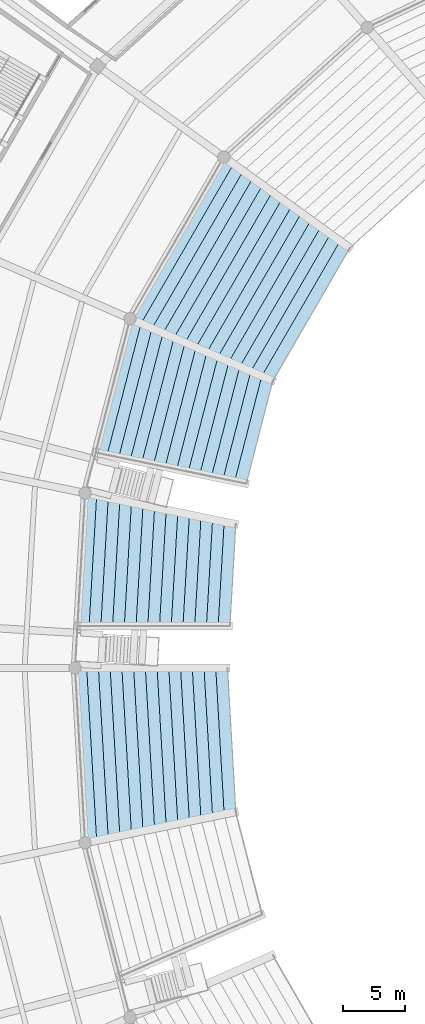
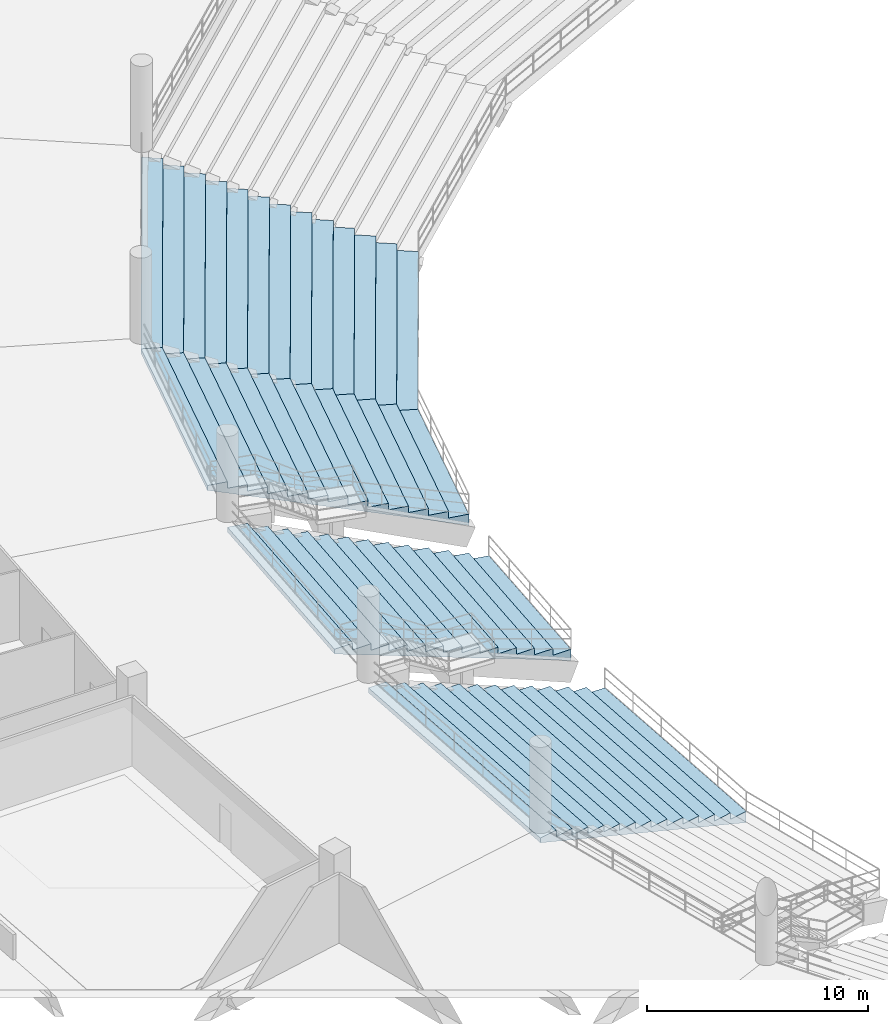
# One storey, part 111 of 156: 4 slabs.
"""IFC4 building model written with IfcOpenShell, lengths in metres."""

from ifc_helpers import new_model, si_unit, direction, frame, origin, place, context, subcontext, project, spatial, polygons, material, layer, layer_set, type_object, element, save


model = new_model("IFC4")

# Units and contexts
model_context = context("Model", 3, precision=1e-05, world=origin(), true_north=direction((0.0, 1.0)))
body_context = subcontext(model_context, "Body", "Model", "MODEL_VIEW")
ifc_project = project(units=[si_unit("LENGTHUNIT", "METRE"), si_unit("AREAUNIT", "SQUARE_METRE"), si_unit("VOLUMEUNIT", "CUBIC_METRE"), si_unit("PLANEANGLEUNIT", "RADIAN"), si_unit("MASSUNIT", "GRAM", prefix="KILO")], contexts=[model_context])

# Site, building, storey
site_placement = place(None, origin())
site = spatial("IfcSite", under=ifc_project, at=site_placement, CompositionType="ELEMENT")
building_placement = place(site_placement, origin())
building = spatial("IfcBuilding", under=site, at=building_placement, Name="Kazemori Nagisa Stadium", CompositionType="ELEMENT")
storey_placement = place(building_placement, frame((0.0, 0.0, 5.780029296875)))
storey = spatial("IfcBuildingStorey", under=building, at=storey_placement, Name="L01", CompositionType="ELEMENT", Elevation=5.780029296875)

# Slabs
ifc_material = material(Name="Concrete C36/45 (Fc36)", Category="concrete")
ifc_layer_1 = layer(ifc_material, 4.93994140625, Name="Concrete C36/45 (Fc36)", Category="concrete")
ifc_layer_set_1 = layer_set([ifc_layer_1], Name="Concrete C36/45 (Fc36)")
slab_type_1 = type_object("IfcSlabType", Name="SeatingTier_ST-LOW-13", PredefinedType="USERDEFINED", material=ifc_layer_set_1)
slab_1_placement = place(storey_placement, frame((0.0, 0.0, -5.780029296875)))
element("IfcSlab", 1, at=slab_1_placement, inside=storey, type_object=slab_type_1, Name="Stand lower tier bay 12", ObjectType="SEATING TIER", PredefinedType="USERDEFINED", context=body_context, shape_type="Tessellation", body=[
    polygons([(69.6689453125, 125.249755859375, 0.239990234375), (69.6689453125, 125.249755859375, 0.860107421875), (68.780029296875, 125.63720703125, 0.860107421875), (68.780029296875, 125.63720703125, 1.22021484375), (67.891357421875, 126.024658203125, 1.22021484375), (67.891357421875, 126.024658203125, 1.580322265625), (67.00244140625, 126.412109375, 1.580322265625), (67.00244140625, 126.412109375, 1.9404296875), (66.113525390625, 126.7998046875, 1.9404296875), (66.113525390625, 126.7998046875, 2.300537109375), (65.224853515625, 127.187255859375, 2.300537109375), (65.224853515625, 127.187255859375, 2.66064453125), (64.3359375, 127.57470703125, 2.66064453125), (64.3359375, 127.57470703125, 3.020751953125), (63.447021484375, 127.962158203125, 3.020751953125), (63.447021484375, 127.962158203125, 3.380859375), (62.55810546875, 128.349609375, 3.380859375), (62.55810546875, 128.349609375, 3.740966796875), (61.66943359375, 128.737060546875, 3.740966796875), (61.66943359375, 128.737060546875, 4.10107421875), (60.780517578125, 129.124755859375, 4.10107421875), (60.780517578125, 129.124755859375, 4.461181640625), (59.8916015625, 129.51220703125, 4.461181640625), (59.8916015625, 129.51220703125, 4.8212890625), (59.0029296875, 129.899658203125, 4.8212890625), (59.0029296875, 129.899658203125, 5.181396484375), (58.114013671875, 130.287109375, 5.181396484375), (58.114013671875, 130.287109375, 4.92138671875), (59.0029296875, 129.899658203125, 4.561279296875), (59.8916015625, 129.51220703125, 4.201171875), (60.780517578125, 129.124755859375, 3.841064453125), (61.66943359375, 128.737060546875, 3.48095703125), (62.55810546875, 128.349609375, 3.120849609375), (63.447021484375, 127.962158203125, 2.7607421875), (64.3359375, 127.57470703125, 2.400634765625), (65.224853515625, 127.187255859375, 2.04052734375), (66.113525390625, 126.7998046875, 1.680419921875), (67.00244140625, 126.412109375, 1.3203125), (67.891357421875, 126.024658203125, 0.960205078125), (68.780029296875, 125.63720703125, 0.60009765625), (75.90283203125, 136.00048828125, 0.239990234375), (75.90283203125, 136.00048828125, 0.860107421875), (75.117919921875, 136.567138671875, 0.860107421875), (75.117919921875, 136.567138671875, 1.22021484375), (74.3330078125, 137.1337890625, 1.22021484375), (74.3330078125, 137.1337890625, 1.580322265625), (73.548095703125, 137.700439453125, 1.580322265625), (73.548095703125, 137.700439453125, 1.9404296875), (72.762939453125, 138.267333984375, 1.9404296875), (72.762939453125, 138.267333984375, 2.300537109375), (71.97802734375, 138.833984375, 2.300537109375), (71.97802734375, 138.833984375, 2.66064453125), (71.193115234375, 139.400634765625, 2.66064453125), (71.193115234375, 139.400634765625, 3.020751953125), (70.408203125, 139.96728515625, 3.020751953125), (70.408203125, 139.96728515625, 3.380859375), (69.623291015625, 140.533935546875, 3.380859375), (69.623291015625, 140.533935546875, 3.740966796875), (68.83837890625, 141.1005859375, 3.740966796875), (68.83837890625, 141.1005859375, 4.10107421875), (68.05322265625, 141.66748046875, 4.10107421875), (68.05322265625, 141.66748046875, 4.461181640625), (67.268310546875, 142.234130859375, 4.461181640625), (67.268310546875, 142.234130859375, 4.8212890625), (66.4833984375, 142.80078125, 4.8212890625), (66.4833984375, 142.80078125, 5.181396484375), (65.698486328125, 143.367431640625, 5.181396484375), (65.698486328125, 143.367431640625, 4.92138671875), (66.4833984375, 142.80078125, 4.561279296875), (67.268310546875, 142.234130859375, 4.201171875), (68.05322265625, 141.66748046875, 3.841064453125), (68.83837890625, 141.1005859375, 3.48095703125), (69.623291015625, 140.533935546875, 3.120849609375), (70.408203125, 139.96728515625, 2.7607421875), (71.193115234375, 139.400634765625, 2.400634765625), (71.97802734375, 138.833984375, 2.04052734375), (72.762939453125, 138.267333984375, 1.680419921875), (73.548095703125, 137.700439453125, 1.3203125), (74.3330078125, 137.1337890625, 0.960205078125), (75.117919921875, 136.567138671875, 0.60009765625)], [[[1, 41, 42]], [[1, 42, 2]], [[2, 42, 43]], [[2, 43, 3]], [[3, 43, 44]], [[3, 44, 4]], [[4, 44, 45]], [[4, 45, 5]], [[5, 45, 46]], [[5, 46, 6]], [[6, 46, 47]], [[6, 47, 7]], [[7, 47, 48]], [[7, 48, 8]], [[8, 48, 49]], [[8, 49, 9]], [[9, 49, 50]], [[9, 50, 10]], [[10, 50, 51]], [[10, 51, 11]], [[11, 51, 52]], [[11, 52, 12]], [[12, 52, 53]], [[12, 53, 13]], [[13, 53, 54]], [[13, 54, 14]], [[14, 54, 55]], [[14, 55, 15]], [[15, 55, 56]], [[15, 56, 16]], [[16, 56, 57]], [[16, 57, 17]], [[17, 57, 58]], [[17, 58, 18]], [[18, 58, 59]], [[18, 59, 19]], [[19, 59, 60]], [[19, 60, 20]], [[20, 60, 61]], [[20, 61, 21]], [[21, 61, 62]], [[21, 62, 22]], [[22, 62, 63]], [[22, 63, 23]], [[23, 63, 64]], [[23, 64, 24]], [[24, 64, 65]], [[24, 65, 25]], [[25, 65, 66]], [[25, 66, 26]], [[26, 66, 67]], [[26, 67, 27]], [[27, 67, 68]], [[27, 68, 28]], [[28, 68, 29]], [[29, 68, 69]], [[29, 69, 30]], [[30, 69, 70]], [[30, 70, 31]], [[31, 70, 71]], [[31, 71, 32]], [[32, 71, 72]], [[32, 72, 33]], [[33, 72, 73]], [[33, 73, 34]], [[34, 73, 74]], [[34, 74, 35]], [[35, 74, 75]], [[35, 75, 36]], [[36, 75, 76]], [[36, 76, 37]], [[37, 76, 77]], [[37, 77, 38]], [[38, 77, 78]], [[38, 78, 39]], [[39, 78, 79]], [[39, 79, 40]], [[40, 79, 80]], [[40, 80, 1]], [[1, 80, 41]], [[1, 2, 3]], [[43, 42, 41]], [[1, 3, 40]], [[80, 43, 41]], [[40, 3, 39]], [[79, 43, 80]], [[39, 3, 5]], [[45, 43, 79]], [[3, 4, 5]], [[45, 44, 43]], [[39, 5, 38]], [[78, 45, 79]], [[38, 5, 7]], [[47, 45, 78]], [[5, 6, 7]], [[47, 46, 45]], [[38, 7, 37]], [[77, 47, 78]], [[37, 7, 9]], [[49, 47, 77]], [[7, 8, 9]], [[49, 48, 47]], [[37, 9, 36]], [[76, 49, 77]], [[36, 9, 11]], [[51, 49, 76]], [[9, 10, 11]], [[51, 50, 49]], [[36, 11, 35]], [[75, 51, 76]], [[35, 11, 13]], [[53, 51, 75]], [[11, 12, 13]], [[53, 52, 51]], [[35, 13, 34]], [[74, 53, 75]], [[34, 13, 15]], [[55, 53, 74]], [[13, 14, 15]], [[55, 54, 53]], [[34, 15, 33]], [[73, 55, 74]], [[33, 15, 17]], [[57, 55, 73]], [[15, 16, 17]], [[57, 56, 55]], [[33, 17, 32]], [[72, 57, 73]], [[32, 17, 19]], [[59, 57, 72]], [[17, 18, 19]], [[59, 58, 57]], [[32, 19, 31]], [[71, 59, 72]], [[31, 19, 21]], [[61, 59, 71]], [[19, 20, 21]], [[61, 60, 59]], [[31, 21, 30]], [[70, 61, 71]], [[30, 21, 23]], [[63, 61, 70]], [[21, 22, 23]], [[63, 62, 61]], [[30, 23, 29]], [[69, 63, 70]], [[29, 23, 25]], [[65, 63, 69]], [[23, 24, 25]], [[65, 64, 63]], [[29, 25, 28]], [[68, 65, 69]], [[28, 25, 27]], [[67, 65, 68]], [[25, 26, 27]], [[67, 66, 65]]], closed=True),
])
slab_2_placement = place(storey_placement, frame((0.0, 0.0, -5.780029296875)))
element("IfcSlab", 2, at=slab_2_placement, inside=storey, type_object=slab_type_1, Name="Stand lower tier bay 15", ObjectType="SEATING TIER", PredefinedType="USERDEFINED", context=body_context, shape_type="Tessellation", body=[
    polygons([(66.671630859375, 90.361328125, 0.239990234375), (66.671630859375, 90.361328125, 0.860107421875), (65.73291015625, 90.167236328125, 0.860107421875), (65.73291015625, 90.167236328125, 1.22021484375), (64.7939453125, 89.973388671875, 1.22021484375), (64.7939453125, 89.973388671875, 1.580322265625), (63.855224609375, 89.779296875, 1.580322265625), (63.855224609375, 89.779296875, 1.9404296875), (62.916259765625, 89.58544921875, 1.9404296875), (62.916259765625, 89.58544921875, 2.300537109375), (61.9775390625, 89.391357421875, 2.300537109375), (61.9775390625, 89.391357421875, 2.66064453125), (61.038818359375, 89.197509765625, 2.66064453125), (61.038818359375, 89.197509765625, 3.020751953125), (60.099853515625, 89.00341796875, 3.020751953125), (60.099853515625, 89.00341796875, 3.380859375), (59.1611328125, 88.8095703125, 3.380859375), (59.1611328125, 88.8095703125, 3.740966796875), (58.222412109375, 88.615478515625, 3.740966796875), (58.222412109375, 88.615478515625, 4.10107421875), (57.283447265625, 88.421630859375, 4.10107421875), (57.283447265625, 88.421630859375, 4.461181640625), (56.3447265625, 88.2275390625, 4.461181640625), (56.3447265625, 88.2275390625, 4.8212890625), (55.40576171875, 88.03369140625, 4.8212890625), (55.40576171875, 88.03369140625, 5.181396484375), (54.467041015625, 87.839599609375, 5.181396484375), (54.467041015625, 87.839599609375, 4.92138671875), (55.40576171875, 88.03369140625, 4.561279296875), (56.3447265625, 88.2275390625, 4.201171875), (57.283447265625, 88.421630859375, 3.841064453125), (58.222412109375, 88.615478515625, 3.48095703125), (59.1611328125, 88.8095703125, 3.120849609375), (60.099853515625, 89.00341796875, 2.7607421875), (61.038818359375, 89.197509765625, 2.400634765625), (61.9775390625, 89.391357421875, 2.04052734375), (62.916259765625, 89.58544921875, 1.680419921875), (63.855224609375, 89.779296875, 1.3203125), (64.7939453125, 89.973388671875, 0.960205078125), (65.73291015625, 90.167236328125, 0.60009765625), (66.0, 102.0, 0.239990234375), (66.0, 102.0, 0.860107421875), (65.050048828125, 102.0, 0.860107421875), (65.050048828125, 102.0, 1.22021484375), (64.10009765625, 102.0, 1.22021484375), (64.10009765625, 102.0, 1.580322265625), (63.14990234375, 102.0, 1.580322265625), (63.14990234375, 102.0, 1.9404296875), (62.199951171875, 102.0, 1.9404296875), (62.199951171875, 102.0, 2.300537109375), (61.25, 102.0, 2.300537109375), (61.25, 102.0, 2.66064453125), (60.300048828125, 102.0, 2.66064453125), (60.300048828125, 102.0, 3.020751953125), (59.349853515625, 102.0, 3.020751953125), (59.349853515625, 102.0, 3.380859375), (58.39990234375, 102.0, 3.380859375), (58.39990234375, 102.0, 3.740966796875), (57.449951171875, 102.0, 3.740966796875), (57.449951171875, 102.0, 4.10107421875), (56.5, 102.0, 4.10107421875), (56.5, 102.0, 4.461181640625), (55.5498046875, 102.0, 4.461181640625), (55.5498046875, 102.0, 4.8212890625), (54.599853515625, 102.0, 4.8212890625), (54.599853515625, 102.0, 5.181396484375), (53.64990234375, 102.0, 5.181396484375), (53.64990234375, 102.0, 4.92138671875), (54.599853515625, 102.0, 4.561279296875), (55.5498046875, 102.0, 4.201171875), (56.5, 102.0, 3.841064453125), (57.449951171875, 102.0, 3.48095703125), (58.39990234375, 102.0, 3.120849609375), (59.349853515625, 102.0, 2.7607421875), (60.300048828125, 102.0, 2.400634765625), (61.25, 102.0, 2.04052734375), (62.199951171875, 102.0, 1.680419921875), (63.14990234375, 102.0, 1.3203125), (64.10009765625, 102.0, 0.960205078125), (65.050048828125, 102.0, 0.60009765625)], [[[1, 41, 42]], [[1, 42, 2]], [[2, 42, 43]], [[2, 43, 3]], [[3, 43, 44]], [[3, 44, 4]], [[4, 44, 45]], [[4, 45, 5]], [[5, 45, 46]], [[5, 46, 6]], [[6, 46, 47]], [[6, 47, 7]], [[7, 47, 48]], [[7, 48, 8]], [[8, 48, 49]], [[8, 49, 9]], [[9, 49, 50]], [[9, 50, 10]], [[10, 50, 51]], [[10, 51, 11]], [[11, 51, 52]], [[11, 52, 12]], [[12, 52, 53]], [[12, 53, 13]], [[13, 53, 54]], [[13, 54, 14]], [[14, 54, 55]], [[14, 55, 15]], [[15, 55, 56]], [[15, 56, 16]], [[16, 56, 57]], [[16, 57, 17]], [[17, 57, 58]], [[17, 58, 18]], [[18, 58, 59]], [[18, 59, 19]], [[19, 59, 60]], [[19, 60, 20]], [[20, 60, 61]], [[20, 61, 21]], [[21, 61, 62]], [[21, 62, 22]], [[22, 62, 63]], [[22, 63, 23]], [[23, 63, 64]], [[23, 64, 24]], [[24, 64, 65]], [[24, 65, 25]], [[25, 65, 66]], [[25, 66, 26]], [[26, 66, 67]], [[26, 67, 27]], [[27, 67, 68]], [[27, 68, 28]], [[28, 68, 29]], [[29, 68, 69]], [[29, 69, 30]], [[30, 69, 70]], [[30, 70, 31]], [[31, 70, 71]], [[31, 71, 32]], [[32, 71, 72]], [[32, 72, 33]], [[33, 72, 73]], [[33, 73, 34]], [[34, 73, 74]], [[34, 74, 35]], [[35, 74, 75]], [[35, 75, 36]], [[36, 75, 76]], [[36, 76, 37]], [[37, 76, 77]], [[37, 77, 38]], [[38, 77, 78]], [[38, 78, 39]], [[39, 78, 79]], [[39, 79, 40]], [[40, 79, 80]], [[40, 80, 1]], [[1, 80, 41]], [[1, 2, 3]], [[43, 42, 41]], [[1, 3, 40]], [[80, 43, 41]], [[40, 3, 39]], [[79, 43, 80]], [[39, 3, 5]], [[45, 43, 79]], [[3, 4, 5]], [[45, 44, 43]], [[39, 5, 38]], [[78, 45, 79]], [[38, 5, 7]], [[47, 45, 78]], [[5, 6, 7]], [[47, 46, 45]], [[38, 7, 37]], [[77, 47, 78]], [[37, 7, 9]], [[49, 47, 77]], [[7, 8, 9]], [[49, 48, 47]], [[37, 9, 36]], [[76, 49, 77]], [[36, 9, 11]], [[51, 49, 76]], [[9, 10, 11]], [[51, 50, 49]], [[36, 11, 35]], [[75, 51, 76]], [[35, 11, 13]], [[53, 51, 75]], [[11, 12, 13]], [[53, 52, 51]], [[35, 13, 34]], [[74, 53, 75]], [[34, 13, 15]], [[55, 53, 74]], [[13, 14, 15]], [[55, 54, 53]], [[34, 15, 33]], [[73, 55, 74]], [[33, 15, 17]], [[57, 55, 73]], [[15, 16, 17]], [[57, 56, 55]], [[33, 17, 32]], [[72, 57, 73]], [[32, 17, 19]], [[59, 57, 72]], [[17, 18, 19]], [[59, 58, 57]], [[32, 19, 31]], [[71, 59, 72]], [[31, 19, 21]], [[61, 59, 71]], [[19, 20, 21]], [[61, 60, 59]], [[31, 21, 30]], [[70, 61, 71]], [[30, 21, 23]], [[63, 61, 70]], [[21, 22, 23]], [[63, 62, 61]], [[30, 23, 29]], [[69, 63, 70]], [[29, 23, 25]], [[65, 63, 69]], [[23, 24, 25]], [[65, 64, 63]], [[29, 25, 28]], [[68, 65, 69]], [[28, 25, 27]], [[67, 65, 68]], [[25, 26, 27]], [[67, 66, 65]]], closed=True),
])
ifc_layer_2 = layer(ifc_material, 4.93994140625, Name="Concrete C36/45 (Fc36)", Category="concrete")
ifc_layer_set_2 = layer_set([ifc_layer_2], Name="Concrete C36/45 (Fc36)")
slab_type_2 = type_object("IfcSlabType", Name="SeatingTier_ST-LOW-13V", PredefinedType="USERDEFINED", material=ifc_layer_set_2)
slab_3_placement = place(storey_placement, frame((0.0, 0.0, -5.780029296875)))
element("IfcSlab", 3, at=slab_3_placement, inside=storey, type_object=slab_type_2, Name="Stand lower tier bay 13", ObjectType="SEATING TIER", PredefinedType="USERDEFINED", context=body_context, shape_type="Tessellation", body=[
    polygons([(67.521484375, 116.9306640625, 0.239990234375), (67.521484375, 116.9306640625, 0.860107421875), (66.582763671875, 117.124755859375, 0.860107421875), (66.582763671875, 117.124755859375, 1.22021484375), (65.643798828125, 117.318603515625, 1.22021484375), (65.643798828125, 117.318603515625, 1.580322265625), (64.705078125, 117.5126953125, 1.580322265625), (64.705078125, 117.5126953125, 1.9404296875), (63.76611328125, 117.70654296875, 1.9404296875), (63.76611328125, 117.70654296875, 2.300537109375), (62.827392578125, 117.900634765625, 2.300537109375), (62.827392578125, 117.900634765625, 2.66064453125), (61.888671875, 118.094482421875, 2.66064453125), (61.888671875, 118.094482421875, 3.020751953125), (60.94970703125, 118.28857421875, 3.020751953125), (60.94970703125, 118.28857421875, 3.380859375), (60.010986328125, 118.482421875, 3.380859375), (60.010986328125, 118.482421875, 3.740966796875), (59.072265625, 118.676513671875, 3.740966796875), (59.072265625, 118.676513671875, 4.10107421875), (58.13330078125, 118.870361328125, 4.10107421875), (58.13330078125, 118.870361328125, 4.461181640625), (57.194580078125, 119.064453125, 4.461181640625), (57.194580078125, 119.064453125, 4.8212890625), (56.255615234375, 119.25830078125, 4.8212890625), (56.255615234375, 119.25830078125, 5.181396484375), (55.31689453125, 119.452392578125, 5.181396484375), (55.31689453125, 119.452392578125, 4.92138671875), (56.255615234375, 119.25830078125, 4.561279296875), (57.194580078125, 119.064453125, 4.201171875), (58.13330078125, 118.870361328125, 3.841064453125), (59.072265625, 118.676513671875, 3.48095703125), (60.010986328125, 118.482421875, 3.120849609375), (60.94970703125, 118.28857421875, 2.7607421875), (61.888671875, 118.094482421875, 2.400634765625), (62.827392578125, 117.900634765625, 2.04052734375), (63.76611328125, 117.70654296875, 1.680419921875), (64.705078125, 117.5126953125, 1.3203125), (65.643798828125, 117.318603515625, 0.960205078125), (66.582763671875, 117.124755859375, 0.60009765625), (69.6689453125, 125.249755859375, 0.239990234375), (69.6689453125, 125.249755859375, 0.860107421875), (68.780029296875, 125.63720703125, 0.860107421875), (68.780029296875, 125.63720703125, 1.22021484375), (67.891357421875, 126.024658203125, 1.22021484375), (67.891357421875, 126.024658203125, 1.580322265625), (67.00244140625, 126.412109375, 1.580322265625), (67.00244140625, 126.412109375, 1.9404296875), (66.113525390625, 126.7998046875, 1.9404296875), (66.113525390625, 126.7998046875, 2.300537109375), (65.224853515625, 127.187255859375, 2.300537109375), (65.224853515625, 127.187255859375, 2.66064453125), (64.3359375, 127.57470703125, 2.66064453125), (64.3359375, 127.57470703125, 3.020751953125), (63.447021484375, 127.962158203125, 3.020751953125), (63.447021484375, 127.962158203125, 3.380859375), (62.55810546875, 128.349609375, 3.380859375), (62.55810546875, 128.349609375, 3.740966796875), (61.66943359375, 128.737060546875, 3.740966796875), (61.66943359375, 128.737060546875, 4.10107421875), (60.780517578125, 129.124755859375, 4.10107421875), (60.780517578125, 129.124755859375, 4.461181640625), (59.8916015625, 129.51220703125, 4.461181640625), (59.8916015625, 129.51220703125, 4.8212890625), (59.0029296875, 129.899658203125, 4.8212890625), (59.0029296875, 129.899658203125, 5.181396484375), (58.114013671875, 130.287109375, 5.181396484375), (58.114013671875, 130.287109375, 4.92138671875), (59.0029296875, 129.899658203125, 4.561279296875), (59.8916015625, 129.51220703125, 4.201171875), (60.780517578125, 129.124755859375, 3.841064453125), (61.66943359375, 128.737060546875, 3.48095703125), (62.55810546875, 128.349609375, 3.120849609375), (63.447021484375, 127.962158203125, 2.7607421875), (64.3359375, 127.57470703125, 2.400634765625), (65.224853515625, 127.187255859375, 2.04052734375), (66.113525390625, 126.7998046875, 1.680419921875), (67.00244140625, 126.412109375, 1.3203125), (67.891357421875, 126.024658203125, 0.960205078125), (68.780029296875, 125.63720703125, 0.60009765625)], [[[1, 41, 42]], [[1, 42, 2]], [[2, 42, 43]], [[2, 43, 3]], [[3, 43, 44]], [[3, 44, 4]], [[4, 44, 45]], [[4, 45, 5]], [[5, 45, 46]], [[5, 46, 6]], [[6, 46, 47]], [[6, 47, 7]], [[7, 47, 48]], [[7, 48, 8]], [[8, 48, 49]], [[8, 49, 9]], [[9, 49, 50]], [[9, 50, 10]], [[10, 50, 51]], [[10, 51, 11]], [[11, 51, 52]], [[11, 52, 12]], [[12, 52, 53]], [[12, 53, 13]], [[13, 53, 54]], [[13, 54, 14]], [[14, 54, 55]], [[14, 55, 15]], [[15, 55, 56]], [[15, 56, 16]], [[16, 56, 57]], [[16, 57, 17]], [[17, 57, 58]], [[17, 58, 18]], [[18, 58, 59]], [[18, 59, 19]], [[19, 59, 60]], [[19, 60, 20]], [[20, 60, 61]], [[20, 61, 21]], [[21, 61, 62]], [[21, 62, 22]], [[22, 62, 63]], [[22, 63, 23]], [[23, 63, 64]], [[23, 64, 24]], [[24, 64, 65]], [[24, 65, 25]], [[25, 65, 66]], [[25, 66, 26]], [[26, 66, 67]], [[26, 67, 27]], [[27, 67, 68]], [[27, 68, 28]], [[28, 68, 29]], [[29, 68, 69]], [[29, 69, 30]], [[30, 69, 70]], [[30, 70, 31]], [[31, 70, 71]], [[31, 71, 32]], [[32, 71, 72]], [[32, 72, 33]], [[33, 72, 73]], [[33, 73, 34]], [[34, 73, 74]], [[34, 74, 35]], [[35, 74, 75]], [[35, 75, 36]], [[36, 75, 76]], [[36, 76, 37]], [[37, 76, 77]], [[37, 77, 38]], [[38, 77, 78]], [[38, 78, 39]], [[39, 78, 79]], [[39, 79, 40]], [[40, 79, 80]], [[40, 80, 1]], [[1, 80, 41]], [[1, 2, 3]], [[43, 42, 41]], [[1, 3, 40]], [[80, 43, 41]], [[40, 3, 39]], [[79, 43, 80]], [[39, 3, 5]], [[45, 43, 79]], [[3, 4, 5]], [[45, 44, 43]], [[39, 5, 38]], [[78, 45, 79]], [[38, 5, 7]], [[47, 45, 78]], [[5, 6, 7]], [[47, 46, 45]], [[38, 7, 37]], [[77, 47, 78]], [[37, 7, 9]], [[49, 47, 77]], [[7, 8, 9]], [[49, 48, 47]], [[37, 9, 36]], [[76, 49, 77]], [[36, 9, 11]], [[51, 49, 76]], [[9, 10, 11]], [[51, 50, 49]], [[36, 11, 35]], [[75, 51, 76]], [[35, 11, 13]], [[53, 51, 75]], [[11, 12, 13]], [[53, 52, 51]], [[35, 13, 34]], [[74, 53, 75]], [[34, 13, 15]], [[55, 53, 74]], [[13, 14, 15]], [[55, 54, 53]], [[34, 15, 33]], [[73, 55, 74]], [[33, 15, 17]], [[57, 55, 73]], [[15, 16, 17]], [[57, 56, 55]], [[33, 17, 32]], [[72, 57, 73]], [[32, 17, 19]], [[59, 57, 72]], [[17, 18, 19]], [[59, 58, 57]], [[32, 19, 31]], [[71, 59, 72]], [[31, 19, 21]], [[61, 59, 71]], [[19, 20, 21]], [[61, 60, 59]], [[31, 21, 30]], [[70, 61, 71]], [[30, 21, 23]], [[63, 61, 70]], [[21, 22, 23]], [[63, 62, 61]], [[30, 23, 29]], [[69, 63, 70]], [[29, 23, 25]], [[65, 63, 69]], [[23, 24, 25]], [[65, 64, 63]], [[29, 25, 28]], [[68, 65, 69]], [[28, 25, 27]], [[67, 65, 68]], [[25, 26, 27]], [[67, 66, 65]]], closed=True),
])
slab_4_placement = place(storey_placement, frame((0.0, 0.0, -5.780029296875)))
element("IfcSlab", 4, at=slab_4_placement, inside=storey, type_object=slab_type_2, Name="Stand lower tier bay 14", ObjectType="SEATING TIER", PredefinedType="USERDEFINED", context=body_context, shape_type="Tessellation", body=[
    polygons([(66.19580078125, 105.394287109375, 0.239990234375), (66.19580078125, 105.394287109375, 0.860107421875), (65.245849609375, 105.394287109375, 0.860107421875), (65.245849609375, 105.394287109375, 1.22021484375), (64.2958984375, 105.394287109375, 1.22021484375), (64.2958984375, 105.394287109375, 1.580322265625), (63.345947265625, 105.394287109375, 1.580322265625), (63.345947265625, 105.394287109375, 1.9404296875), (62.395751953125, 105.394287109375, 1.9404296875), (62.395751953125, 105.394287109375, 2.300537109375), (61.44580078125, 105.394287109375, 2.300537109375), (61.44580078125, 105.394287109375, 2.66064453125), (60.495849609375, 105.394287109375, 2.66064453125), (60.495849609375, 105.394287109375, 3.020751953125), (59.5458984375, 105.394287109375, 3.020751953125), (59.5458984375, 105.394287109375, 3.380859375), (58.595947265625, 105.394287109375, 3.380859375), (58.595947265625, 105.394287109375, 3.740966796875), (57.64599609375, 105.394287109375, 3.740966796875), (57.64599609375, 105.394287109375, 4.10107421875), (56.69580078125, 105.394287109375, 4.10107421875), (56.69580078125, 105.394287109375, 4.461181640625), (55.745849609375, 105.394287109375, 4.461181640625), (55.745849609375, 105.394287109375, 4.8212890625), (54.7958984375, 105.394287109375, 4.8212890625), (54.7958984375, 105.394287109375, 5.181396484375), (53.845947265625, 105.394287109375, 5.181396484375), (53.845947265625, 105.394287109375, 4.92138671875), (54.7958984375, 105.394287109375, 4.561279296875), (55.745849609375, 105.394287109375, 4.201171875), (56.69580078125, 105.394287109375, 3.841064453125), (57.64599609375, 105.394287109375, 3.48095703125), (58.595947265625, 105.394287109375, 3.120849609375), (59.5458984375, 105.394287109375, 2.7607421875), (60.495849609375, 105.394287109375, 2.400634765625), (61.44580078125, 105.394287109375, 2.04052734375), (62.395751953125, 105.394287109375, 1.680419921875), (63.345947265625, 105.394287109375, 1.3203125), (64.2958984375, 105.394287109375, 0.960205078125), (65.245849609375, 105.394287109375, 0.60009765625), (66.671630859375, 113.638671875, 0.239990234375), (66.671630859375, 113.638671875, 0.860107421875), (65.73291015625, 113.832763671875, 0.860107421875), (65.73291015625, 113.832763671875, 1.22021484375), (64.7939453125, 114.026611328125, 1.22021484375), (64.7939453125, 114.026611328125, 1.580322265625), (63.855224609375, 114.220703125, 1.580322265625), (63.855224609375, 114.220703125, 1.9404296875), (62.916259765625, 114.41455078125, 1.9404296875), (62.916259765625, 114.41455078125, 2.300537109375), (61.9775390625, 114.608642578125, 2.300537109375), (61.9775390625, 114.608642578125, 2.66064453125), (61.038818359375, 114.802490234375, 2.66064453125), (61.038818359375, 114.802490234375, 3.020751953125), (60.099853515625, 114.99658203125, 3.020751953125), (60.099853515625, 114.99658203125, 3.380859375), (59.1611328125, 115.1904296875, 3.380859375), (59.1611328125, 115.1904296875, 3.740966796875), (58.222412109375, 115.384521484375, 3.740966796875), (58.222412109375, 115.384521484375, 4.10107421875), (57.283447265625, 115.578369140625, 4.10107421875), (57.283447265625, 115.578369140625, 4.461181640625), (56.3447265625, 115.7724609375, 4.461181640625), (56.3447265625, 115.7724609375, 4.8212890625), (55.40576171875, 115.96630859375, 4.8212890625), (55.40576171875, 115.96630859375, 5.181396484375), (54.467041015625, 116.160400390625, 5.181396484375), (54.467041015625, 116.160400390625, 4.92138671875), (55.40576171875, 115.96630859375, 4.561279296875), (56.3447265625, 115.7724609375, 4.201171875), (57.283447265625, 115.578369140625, 3.841064453125), (58.222412109375, 115.384521484375, 3.48095703125), (59.1611328125, 115.1904296875, 3.120849609375), (60.099853515625, 114.99658203125, 2.7607421875), (61.038818359375, 114.802490234375, 2.400634765625), (61.9775390625, 114.608642578125, 2.04052734375), (62.916259765625, 114.41455078125, 1.680419921875), (63.855224609375, 114.220703125, 1.3203125), (64.7939453125, 114.026611328125, 0.960205078125), (65.73291015625, 113.832763671875, 0.60009765625)], [[[1, 41, 42]], [[1, 42, 2]], [[2, 42, 43]], [[2, 43, 3]], [[3, 43, 44]], [[3, 44, 4]], [[4, 44, 45]], [[4, 45, 5]], [[5, 45, 46]], [[5, 46, 6]], [[6, 46, 47]], [[6, 47, 7]], [[7, 47, 48]], [[7, 48, 8]], [[8, 48, 49]], [[8, 49, 9]], [[9, 49, 50]], [[9, 50, 10]], [[10, 50, 51]], [[10, 51, 11]], [[11, 51, 52]], [[11, 52, 12]], [[12, 52, 53]], [[12, 53, 13]], [[13, 53, 54]], [[13, 54, 14]], [[14, 54, 55]], [[14, 55, 15]], [[15, 55, 56]], [[15, 56, 16]], [[16, 56, 57]], [[16, 57, 17]], [[17, 57, 58]], [[17, 58, 18]], [[18, 58, 59]], [[18, 59, 19]], [[19, 59, 60]], [[19, 60, 20]], [[20, 60, 61]], [[20, 61, 21]], [[21, 61, 62]], [[21, 62, 22]], [[22, 62, 63]], [[22, 63, 23]], [[23, 63, 64]], [[23, 64, 24]], [[24, 64, 65]], [[24, 65, 25]], [[25, 65, 66]], [[25, 66, 26]], [[26, 66, 67]], [[26, 67, 27]], [[27, 67, 68]], [[27, 68, 28]], [[28, 68, 29]], [[29, 68, 69]], [[29, 69, 30]], [[30, 69, 70]], [[30, 70, 31]], [[31, 70, 71]], [[31, 71, 32]], [[32, 71, 72]], [[32, 72, 33]], [[33, 72, 73]], [[33, 73, 34]], [[34, 73, 74]], [[34, 74, 35]], [[35, 74, 75]], [[35, 75, 36]], [[36, 75, 76]], [[36, 76, 37]], [[37, 76, 77]], [[37, 77, 38]], [[38, 77, 78]], [[38, 78, 39]], [[39, 78, 79]], [[39, 79, 40]], [[40, 79, 80]], [[40, 80, 1]], [[1, 80, 41]], [[1, 2, 3]], [[43, 42, 41]], [[1, 3, 40]], [[80, 43, 41]], [[40, 3, 39]], [[79, 43, 80]], [[39, 3, 5]], [[45, 43, 79]], [[3, 4, 5]], [[45, 44, 43]], [[39, 5, 38]], [[78, 45, 79]], [[38, 5, 7]], [[47, 45, 78]], [[5, 6, 7]], [[47, 46, 45]], [[38, 7, 37]], [[77, 47, 78]], [[37, 7, 9]], [[49, 47, 77]], [[7, 8, 9]], [[49, 48, 47]], [[37, 9, 36]], [[76, 49, 77]], [[36, 9, 11]], [[51, 49, 76]], [[9, 10, 11]], [[51, 50, 49]], [[36, 11, 35]], [[75, 51, 76]], [[35, 11, 13]], [[53, 51, 75]], [[11, 12, 13]], [[53, 52, 51]], [[35, 13, 34]], [[74, 53, 75]], [[34, 13, 15]], [[55, 53, 74]], [[13, 14, 15]], [[55, 54, 53]], [[34, 15, 33]], [[73, 55, 74]], [[33, 15, 17]], [[57, 55, 73]], [[15, 16, 17]], [[57, 56, 55]], [[33, 17, 32]], [[72, 57, 73]], [[32, 17, 19]], [[59, 57, 72]], [[17, 18, 19]], [[59, 58, 57]], [[32, 19, 31]], [[71, 59, 72]], [[31, 19, 21]], [[61, 59, 71]], [[19, 20, 21]], [[61, 60, 59]], [[31, 21, 30]], [[70, 61, 71]], [[30, 21, 23]], [[63, 61, 70]], [[21, 22, 23]], [[63, 62, 61]], [[30, 23, 29]], [[69, 63, 70]], [[29, 23, 25]], [[65, 63, 69]], [[23, 24, 25]], [[65, 64, 63]], [[29, 25, 28]], [[68, 65, 69]], [[28, 25, 27]], [[67, 65, 68]], [[25, 26, 27]], [[67, 66, 65]]], closed=True),
])

save(model, "model.ifc")
